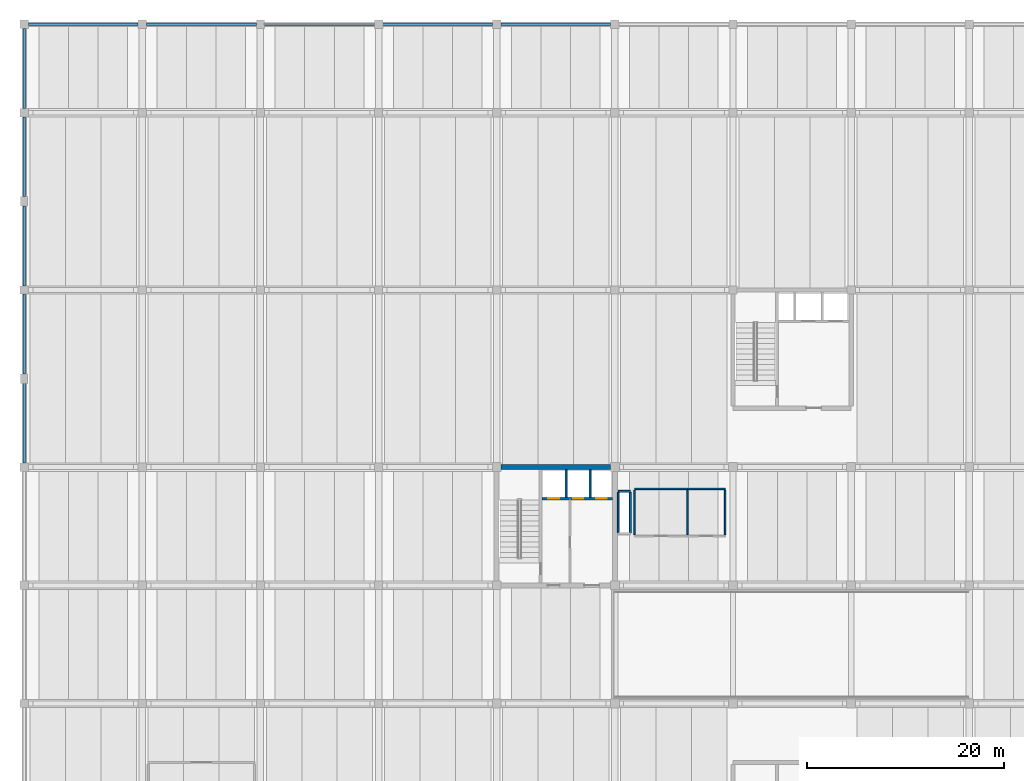
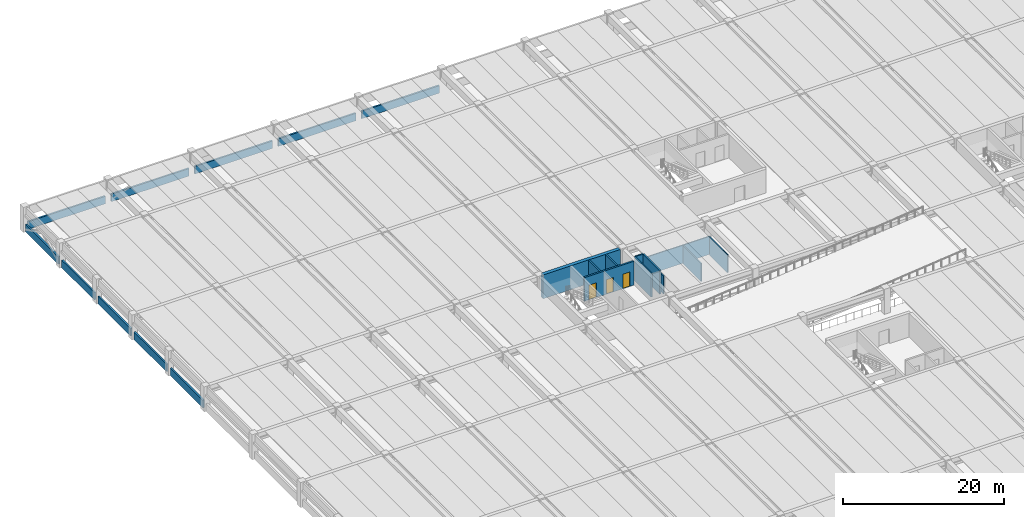
# One storey, part 10 of 19: 22 walls, 3 doors, 3 openings.
"""IFC4 building model written with IfcOpenShell, lengths in metres."""

from ifc_helpers import new_model, si_unit, direction, frame, frame_2d, origin, place, context, subcontext, project, spatial, rectangle, extrude, material, layer, layer_set, type_object, element, fill, save


model = new_model("IFC4")

# Units and contexts
model_context = context("Model", 3, precision=1e-05, world=origin(), true_north=direction((0.0, 1.0)))
body_context = subcontext(model_context, "Body", "Model", "MODEL_VIEW")
ifc_project = project(units=[si_unit("LENGTHUNIT", "METRE"), si_unit("AREAUNIT", "SQUARE_METRE"), si_unit("VOLUMEUNIT", "CUBIC_METRE"), si_unit("PLANEANGLEUNIT", "RADIAN"), si_unit("MASSUNIT", "GRAM", prefix="KILO")], contexts=[model_context])

# Site, building, storey
site_placement = place(None, origin())
site = spatial("IfcSite", under=ifc_project, at=site_placement, CompositionType="ELEMENT")
building_placement = place(site_placement, origin())
building = spatial("IfcBuilding", under=site, at=building_placement, Name="Girod Span Mobility Hub", CompositionType="ELEMENT")
storey_placement = place(building_placement, frame((0.0, 0.0, 13.39990234375)))
storey = spatial("IfcBuildingStorey", under=building, at=storey_placement, Name="L03", CompositionType="ELEMENT", Elevation=13.39990234375)

# Walls
ifc_material_1 = material(Name="Concrete C40/50", Category="concrete")
ifc_layer_1 = layer(ifc_material_1, 0.5)
ifc_layer_set_1 = layer_set([ifc_layer_1], Name="Concrete C40/50")
wall_type_1 = type_object("IfcWallType", Name="W-CW-500", PredefinedType="SHEAR", material=ifc_layer_set_1)
wall_1_placement = place(storey_placement, frame((48.447021484375, 69.0, 0.0), z_axis=(0.0, 0.0, 1.0), x_axis=(1.0, 0.0, 0.0)))
element("IfcWall", 1, at=wall_1_placement, inside=storey, type_object=wall_type_1, Name="Core C1 Shear Wall N L03", PredefinedType="SHEAR", context=body_context, shape_type="SweptSolid", body=[
    extrude(rectangle(XDim=11.10595703125, YDim=0.5, at=frame_2d((5.552978515625, 0.0))), origin(), (0.0, 0.0, 1.0), 3.6181640625),
])
ifc_material_2 = material(Name="Precast Architectural Concrete C40/50", Category="concrete")
ifc_layer_2 = layer(ifc_material_2, 0.239990234375)
ifc_layer_set_2 = layer_set([ifc_layer_2], Name="Precast Architectural Concrete C40/50")
wall_type_2 = type_object("IfcWallType", Name="W-PAR-240", PredefinedType="PARAPET", material=ifc_layer_set_2)
for number, where, z_axis, x_axis, name in (
    (2, (0.423095703125, 114.0, 0.0), (0.0, 0.0, 1.0), (1.0, 0.0, 0.0), "Precast Parking Barrier Parapet N-1 L03"),
    (3, (12.423095703125, 114.0, 0.0), (0.0, 0.0, 1.0), (1.0, 0.0, 0.0), "Precast Parking Barrier Parapet N-2 L03"),
    (4, (24.423095703125, 114.0, 0.0), (0.0, 0.0, 1.0), (1.0, 0.0, 0.0), "Precast Parking Barrier Parapet N-3 L03"),
    (5, (36.423095703125, 114.0, 0.0), (0.0, 0.0, 1.0), (1.0, 0.0, 0.0), "Precast Parking Barrier Parapet N-4 L03"),
    (6, (48.423095703125, 114.0, 0.0), (0.0, 0.0, 1.0), (1.0, 0.0, 0.0), "Precast Parking Barrier Parapet N-5 L03"),
):
    element("IfcWall", number, at=place(storey_placement, frame(where, z_axis=z_axis, x_axis=x_axis)), inside=storey, type_object=wall_type_2, Name=name, PredefinedType="PARAPET", context=body_context, shape_type="SweptSolid", body=[
        extrude(rectangle(XDim=11.15380859375, YDim=0.239990234375, at=frame_2d((5.576904296875, 0.0))), origin(), (0.0, 0.0, 1.0), 1.150146484375),
    ])
for number, where, z_axis, x_axis, name in (
    (7, (0.0, 69.423095703125, 0.0), (0.0, 0.0, 1.0), (0.0, 1.0, 0.0), "Precast Side Barrier Parapet W-F-1 L03"),
    (8, (0.0, 78.472900390625, 0.0), (0.0, 0.0, 1.0), (0.0, 1.0, 0.0), "Precast Side Barrier Parapet W-F-2 L03"),
    (9, (0.0, 87.423095703125, 0.0), (0.0, 0.0, 1.0), (0.0, 1.0, 0.0), "Precast Side Barrier Parapet W-G-1 L03"),
    (10, (0.0, 96.472900390625, 0.0), (0.0, 0.0, 1.0), (0.0, 1.0, 0.0), "Precast Side Barrier Parapet W-G-2 L03"),
):
    element("IfcWall", number, at=place(storey_placement, frame(where, z_axis=z_axis, x_axis=x_axis)), inside=storey, type_object=wall_type_2, Name=name, PredefinedType="PARAPET", context=body_context, shape_type="SweptSolid", body=[
        extrude(rectangle(XDim=8.10400390625, YDim=0.239990234375, at=frame_2d((4.052001953125, 0.0))), origin(), (0.0, 0.0, 1.0), 1.150146484375),
    ])
wall_2_placement = place(storey_placement, frame((0.0, 105.423095703125, 0.0), z_axis=(0.0, 0.0, 1.0), x_axis=(0.0, 1.0, 0.0)))
element("IfcWall", 11, at=wall_2_placement, inside=storey, type_object=wall_type_2, Name="Precast Side Barrier Parapet W-H-1 L03", PredefinedType="PARAPET", context=body_context, shape_type="SweptSolid", body=[
    extrude(rectangle(XDim=8.15380859375, YDim=0.239990234375, at=frame_2d((4.076904296875, 0.0))), origin(), (0.0, 0.0, 1.0), 1.150146484375),
])
ifc_material_3 = material(Name="Fire-Rated Gypsum Board on Metal Studs", Category="gypsum")
ifc_layer_3 = layer(ifc_material_3, 0.155029296875)
ifc_layer_set_3 = layer_set([ifc_layer_3], Name="Fire-Rated Gypsum Board on Metal Studs")
wall_type_3 = type_object("IfcWallType", Name="W-PLB-155", PredefinedType="PLUMBINGWALL", material=ifc_layer_set_3)
wall_3_placement = place(storey_placement, frame((62.0, 66.800048828125, 0.0), z_axis=(0.0, 0.0, 1.0), x_axis=(1.0, 0.0, 0.0)))
element("IfcWall", 12, at=wall_3_placement, inside=storey, type_object=wall_type_3, Name="Restroom L03 Partition N", PredefinedType="PLUMBINGWALL", context=body_context, shape_type="SweptSolid", body=[
    extrude(rectangle(XDim=5.39990234375, YDim=0.155029296875, at=frame_2d((2.699951171875, 0.0))), origin(), (0.0, 0.0, 1.0), 2.75),
])
for number, where, z_axis, x_axis, name in (
    (13, (62.0, 62.159912109375, 0.0), (0.0, 0.0, 1.0), (0.0, 1.0, 0.0), "Restroom L03 Partition W"),
    (14, (67.39990234375, 62.159912109375, 0.0), (0.0, 0.0, 1.0), (0.0, 1.0, 0.0), "Restroom L03 Partition E"),
):
    element("IfcWall", number, at=place(storey_placement, frame(where, z_axis=z_axis, x_axis=x_axis)), inside=storey, type_object=wall_type_3, Name=name, PredefinedType="PLUMBINGWALL", context=body_context, shape_type="SweptSolid", body=[
        extrude(rectangle(XDim=4.47998046875, YDim=0.155029296875, at=frame_2d((2.239990234375, 0.0))), origin(), (0.0, 0.0, 1.0), 2.75),
    ])
wall_4_placement = place(storey_placement, frame((67.39990234375, 66.800048828125, 0.0), z_axis=(0.0, 0.0, 1.0), x_axis=(1.0, 0.0, 0.0)))
element("IfcWall", 15, at=wall_4_placement, inside=storey, type_object=wall_type_3, Name="Accessible WC L03 Partition N", PredefinedType="PLUMBINGWALL", context=body_context, shape_type="SweptSolid", body=[
    extrude(rectangle(XDim=3.800048828125, YDim=0.155029296875, at=frame_2d((1.89990234375, 0.0))), origin(), (0.0, 0.0, 1.0), 2.75),
])
wall_5_placement = place(storey_placement, frame((71.199951171875, 62.159912109375, 0.0), z_axis=(0.0, 0.0, 1.0), x_axis=(0.0, 1.0, 0.0)))
element("IfcWall", 16, at=wall_5_placement, inside=storey, type_object=wall_type_3, Name="Accessible WC L03 Partition E", PredefinedType="PLUMBINGWALL", context=body_context, shape_type="SweptSolid", body=[
    extrude(rectangle(XDim=4.47998046875, YDim=0.155029296875, at=frame_2d((2.239990234375, 0.0))), origin(), (0.0, 0.0, 1.0), 2.75),
])
ifc_material_4 = material(Name="Concrete C40/50", Category="concrete")
ifc_layer_4 = layer(ifc_material_4, 0.199951171875)
ifc_layer_set_4 = layer_set([ifc_layer_4], Name="Concrete C40/50")
wall_type_4 = type_object("IfcWallType", Name="W-SH-200", PredefinedType="SOLIDWALL", material=ifc_layer_set_4)
wall_6_placement = place(storey_placement, frame((60.346923828125, 66.550048828125, 0.0), z_axis=(0.0, 0.0, 1.0), x_axis=(1.0, 0.0, 0.0)))
element("IfcWall", 17, at=wall_6_placement, inside=storey, type_object=wall_type_4, Name="Sanitary Wet Riser Shaft Wall N L03", PredefinedType="SOLIDWALL", context=body_context, shape_type="SweptSolid", body=[
    extrude(rectangle(XDim=1.233154296875, YDim=0.199951171875, at=frame_2d((0.61669921875, 0.0))), origin(), (0.0, 0.0, 1.0), 3.6181640625),
])
for number, where, z_axis, x_axis, name in (
    (18, (60.346923828125, 62.330078125, 0.0), (0.0, 0.0, 1.0), (0.0, 1.0, 0.0), "Sanitary Wet Riser Shaft Wall W L03"),
    (19, (61.580078125, 62.330078125, 0.0), (0.0, 0.0, 1.0), (0.0, 1.0, 0.0), "Sanitary Wet Riser Shaft Wall E L03"),
):
    element("IfcWall", number, at=place(storey_placement, frame(where, z_axis=z_axis, x_axis=x_axis)), inside=storey, type_object=wall_type_4, Name=name, PredefinedType="SOLIDWALL", context=body_context, shape_type="SweptSolid", body=[
        extrude(rectangle(XDim=4.139892578125, YDim=0.199951171875, at=frame_2d((2.06982421875, 0.0))), origin(), (0.0, 0.0, 1.0), 3.6181640625),
    ])
for number, where, z_axis, x_axis, name in (
    (20, (55.050048828125, 65.919921875, 0.0), (0.0, 0.0, 1.0), (0.0, 1.0, 0.0), "Core C1 Shaft Divider 1 L03"),
    (21, (57.47998046875, 65.919921875, 0.0), (0.0, 0.0, 1.0), (0.0, 1.0, 0.0), "Core C1 Shaft Divider 2 L03"),
):
    element("IfcWall", number, at=place(storey_placement, frame(where, z_axis=z_axis, x_axis=x_axis)), inside=storey, type_object=wall_type_4, Name=name, PredefinedType="SOLIDWALL", context=body_context, shape_type="SweptSolid", body=[
        extrude(rectangle(XDim=2.830078125, YDim=0.199951171875, at=frame_2d((1.4150390625, 0.0))), origin(), (0.0, 0.0, 1.0), 3.608154296875),
    ])

# Wall, openings, doors
ifc_material_5 = material(Name="Concrete C40/50", Category="concrete")
ifc_layer_5 = layer(ifc_material_5, 0.25)
ifc_layer_set_5 = layer_set([ifc_layer_5], Name="Concrete C40/50")
wall_type_5 = type_object("IfcWallType", Name="W-SH-250", PredefinedType="SOLIDWALL", material=ifc_layer_set_5)
wall_7_placement = place(storey_placement, frame((52.596923828125, 65.800048828125, 0.0), z_axis=(0.0, 0.0, 1.0), x_axis=(1.0, 0.0, 0.0)))
wall_7 = element("IfcWall", 22, at=wall_7_placement, inside=storey, type_object=wall_type_5, Name="Core C1 Hoistway Front Wall L03", PredefinedType="SOLIDWALL", context=body_context, shape_type="SweptSolid", body=[
    extrude(rectangle(XDim=7.156005859375, YDim=0.25, at=frame_2d((3.578125, 0.0))), origin(), (0.0, 0.0, 1.0), 3.6181640625),
])
opening_1_placement = place(wall_7_placement, frame((0.653076171875, 0.0, 0.0)))
opening_1 = element("IfcOpeningElement", 23, at=opening_1_placement, cuts=wall_7, Name="Opening LD-FL-1-L03", PredefinedType="OPENING", context=body_context, shape_type="SweptSolid", body=[
    extrude(rectangle(XDim=1.10009765625, YDim=2.239990234375, at=frame_2d((0.550048828125, 1.1201171875))), frame((0.0, 0.139892578125, 0.0), z_axis=(0.0, -1.0, 0.0), x_axis=(1.0, 0.0, 0.0)), (0.0, 0.0, 1.0), 0.280029296875),
])
opening_2_placement = place(wall_7_placement, frame((3.153076171875, 0.0, 0.0)))
opening_2 = element("IfcOpeningElement", 24, at=opening_2_placement, cuts=wall_7, Name="Opening LD-LP-1-L03", PredefinedType="OPENING", context=body_context, shape_type="SweptSolid", body=[
    extrude(rectangle(XDim=1.050048828125, YDim=2.199951171875, at=frame_2d((0.52490234375, 1.10009765625))), frame((0.0, 0.139892578125, 0.0), z_axis=(0.0, -1.0, 0.0), x_axis=(1.0, 0.0, 0.0)), (0.0, 0.0, 1.0), 0.280029296875),
])
opening_3_placement = place(wall_7_placement, frame((5.528076171875, 0.0, 0.0)))
opening_3 = element("IfcOpeningElement", 25, at=opening_3_placement, cuts=wall_7, Name="Opening LD-LP-2-L03", PredefinedType="OPENING", context=body_context, shape_type="SweptSolid", body=[
    extrude(rectangle(XDim=1.050048828125, YDim=2.199951171875, at=frame_2d((0.52490234375, 1.10009765625))), frame((0.0, 0.139892578125, 0.0), z_axis=(0.0, -1.0, 0.0), x_axis=(1.0, 0.0, 0.0)), (0.0, 0.0, 1.0), 0.280029296875),
])
ifc_material_6 = material(Name="Brushed Stainless Steel Grade 304", Category="steel")
door_type_1 = type_object("IfcDoorType", Name="LD-FL-110", OperationType="SLIDING_TO_LEFT", PredefinedType="USERDEFINED", material=ifc_material_6)
door_1_placement = place(opening_1_placement, origin())
door_1 = element("IfcDoor", 26, at=door_1_placement, inside=storey, type_object=door_type_1, Name="Lift FL-1 Sliding Landing Door L03", ObjectType="LANDING DOOR", OperationType="SLIDING_TO_LEFT", OverallHeight=2.239990234375, OverallWidth=1.10009765625, PredefinedType="USERDEFINED", context=body_context, shape_type="SweptSolid", body=[
    extrude(rectangle(XDim=1.10009765625, YDim=2.239990234375, at=frame_2d((0.550048828125, 1.1201171875))), frame((0.0, 0.02490234375, 0.0), z_axis=(0.0, -1.0, 0.0), x_axis=(1.0, 0.0, 0.0)), (0.0, 0.0, 1.0), 0.050048828125),
])
fill(opening_1, door_1)
ifc_material_7 = material(Name="Brushed Stainless Steel Grade 304", Category="steel")
door_type_2 = type_object("IfcDoorType", Name="LD-LP-105", OperationType="SLIDING_TO_LEFT", PredefinedType="USERDEFINED", material=ifc_material_7)
door_2_placement = place(opening_2_placement, origin())
door_2 = element("IfcDoor", 27, at=door_2_placement, inside=storey, type_object=door_type_2, Name="Lift LP-1 Sliding Landing Door L03", ObjectType="LANDING DOOR", OperationType="SLIDING_TO_LEFT", OverallHeight=2.199951171875, OverallWidth=1.050048828125, PredefinedType="USERDEFINED", context=body_context, shape_type="SweptSolid", body=[
    extrude(rectangle(XDim=1.050048828125, YDim=2.199951171875, at=frame_2d((0.52490234375, 1.10009765625))), frame((0.0, 0.02490234375, 0.0), z_axis=(0.0, -1.0, 0.0), x_axis=(1.0, 0.0, 0.0)), (0.0, 0.0, 1.0), 0.050048828125),
])
fill(opening_2, door_2)
door_3_placement = place(opening_3_placement, origin())
door_3 = element("IfcDoor", 28, at=door_3_placement, inside=storey, type_object=door_type_2, Name="Lift LP-2 Sliding Landing Door L03", ObjectType="LANDING DOOR", OperationType="SLIDING_TO_LEFT", OverallHeight=2.199951171875, OverallWidth=1.050048828125, PredefinedType="USERDEFINED", context=body_context, shape_type="SweptSolid", body=[
    extrude(rectangle(XDim=1.050048828125, YDim=2.199951171875, at=frame_2d((0.52490234375, 1.10009765625))), frame((0.0, 0.02490234375, 0.0), z_axis=(0.0, -1.0, 0.0), x_axis=(1.0, 0.0, 0.0)), (0.0, 0.0, 1.0), 0.050048828125),
])
fill(opening_3, door_3)

save(model, "model.ifc")
